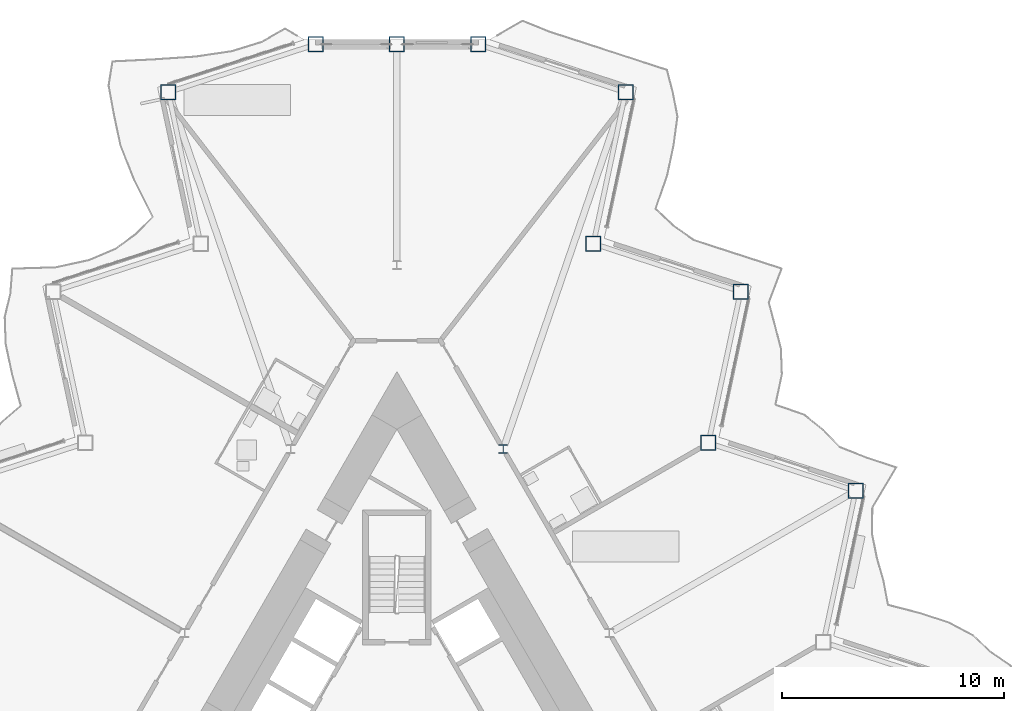
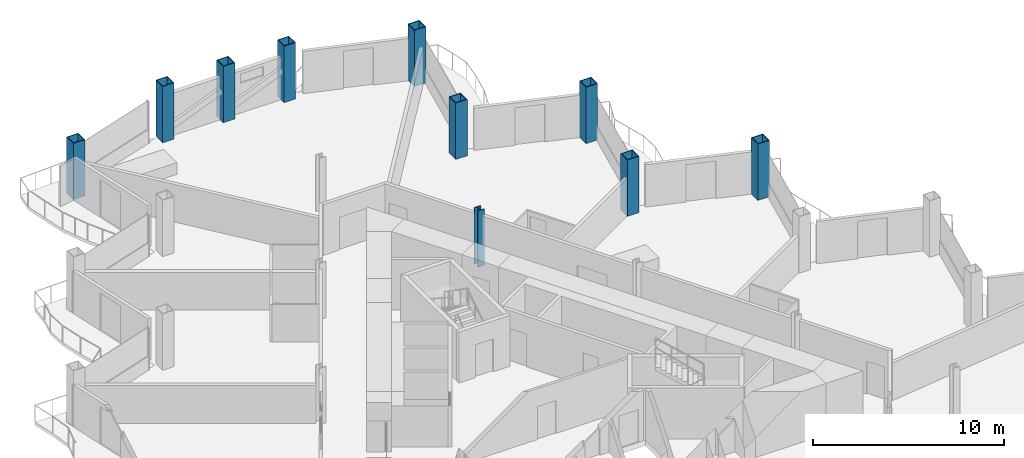
# One storey, part 3 of 23: 10 columns.
"""IFC4 building model written with IfcOpenShell, lengths in metres."""

from ifc_helpers import new_model, si_unit, direction, frame, origin, origin_2d, place, context, subcontext, project, spatial, hollow_rectangle, i_section, extrude, material, material_profile, profile_set, type_object, element, save


model = new_model("IFC4")

# Units and contexts
model_context = context("Model", 3, precision=1e-05, world=origin(), true_north=direction((0.0, 1.0)))
body_context = subcontext(model_context, "Body", "Model", "MODEL_VIEW")
ifc_project = project(units=[si_unit("LENGTHUNIT", "METRE"), si_unit("AREAUNIT", "SQUARE_METRE"), si_unit("VOLUMEUNIT", "CUBIC_METRE"), si_unit("PLANEANGLEUNIT", "RADIAN"), si_unit("MASSUNIT", "GRAM", prefix="KILO")], contexts=[model_context])

# Site, building, storey
site_placement = place(None, origin())
site = spatial("IfcSite", under=ifc_project, at=site_placement, CompositionType="ELEMENT")
building_placement = place(site_placement, origin())
building = spatial("IfcBuilding", under=site, at=building_placement, Name="Cormorant Prow Tower", CompositionType="ELEMENT")
storey_placement = place(building_placement, frame((0.0, 0.0, 249.0)))
storey = spatial("IfcBuildingStorey", under=building, at=storey_placement, Name="L55", CompositionType="ELEMENT", Elevation=249.0)

# Columns
ifc_material_1 = material(Name="Structural steel ASTM A572 Gr 50", Category="steel")
ifc_material_profile_1 = material_profile(ifc_material_1, hollow_rectangle(XDim=0.699951171875, YDim=0.699951171875, WallThickness=0.044921875, at=origin_2d()), Name="Box 700x700x45")
ifc_profile_set_1 = profile_set([ifc_material_profile_1], Name="Structural steel ASTM A572 Gr 50")
column_type_1 = type_object("IfcColumnType", Name="Perimeter box column 700x700x45", PredefinedType="COLUMN", material=ifc_profile_set_1)
for number, where, z_axis, x_axis, name in (
    (1, (20.686767578125, 11.943359375, 0.0), (0.0, 0.0, 1.0), (1.0, 0.0, 0.0), "Perimeter column C5 at ENE05 L55"),
    (2, (14.046875, 14.100830078125, 0.0), (0.0, 0.0, 1.0), (1.0, 0.0, 0.0), "Perimeter column C5 at ENE06 L55"),
    (3, (15.49853515625, 20.9296875, 0.0), (0.0, 0.0, 1.0), (1.0, 0.0, 0.0), "Perimeter column C5 at ENE07 L55"),
    (4, (8.858642578125, 23.087158203125, 0.0), (0.0, 0.0, 1.0), (1.0, 0.0, 0.0), "Perimeter column C5 at ENE08 L55"),
    (5, (10.310302734375, 29.916015625, 0.0), (0.0, 0.0, 1.0), (1.0, 0.0, 0.0), "Perimeter column C5 at ENE09 L55"),
    (6, (3.67041015625, 32.073486328125, 0.0), (0.0, 0.0, 1.0), (1.0, 0.0, 0.0), "Perimeter column C5 at N00 L55"),
    (7, (0.0, 32.073486328125, 0.0), (0.0, 0.0, 1.0), (1.0, 0.0, 0.0), "Perimeter column C5 at N01 L55"),
    (8, (-3.67041015625, 32.073486328125, 0.0), (0.0, 0.0, 1.0), (1.0, 0.0, 0.0), "Perimeter column C5 at WNW00 L55"),
    (9, (-10.310302734375, 29.916015625, 0.0), (0.0, 0.0, 1.0), (1.0, 0.0, 0.0), "Perimeter column C5 at WNW01 L55"),
):
    element("IfcColumn", number, at=place(storey_placement, frame(where, z_axis=z_axis, x_axis=x_axis)), inside=storey, type_object=column_type_1, Name=name, PredefinedType="COLUMN", context=body_context, shape_type="SweptSolid", body=[
        extrude(hollow_rectangle(XDim=0.699951171875, YDim=0.699951171875, WallThickness=0.044921875, at=origin_2d()), origin(), (0.0, 0.0, 1.0), 3.60009765625),
    ])
ifc_material_2 = material(Name="Structural steel ASTM A992 Gr 50", Category="steel")
ifc_material_profile_2 = material_profile(ifc_material_2, i_section(OverallWidth=0.39892578125, OverallDepth=0.393310546875, WebThickness=0.022705078125, FlangeThickness=0.03662109375, at=origin_2d()), Name="W14x193")
ifc_profile_set_2 = profile_set([ifc_material_profile_2], Name="Structural steel ASTM A992 Gr 50")
column_type_2 = type_object("IfcColumnType", Name="Ring column W14x193", PredefinedType="COLUMN", material=ifc_profile_set_2)
column_placement = place(storey_placement, frame((4.789306640625, 13.8251953125, 0.0), z_axis=(0.0, 0.0, 1.0), x_axis=(1.0, 0.0, 0.0)))
element("IfcColumn", 10, at=column_placement, inside=storey, type_object=column_type_2, Name="Ring column 12 L55", PredefinedType="COLUMN", context=body_context, shape_type="SweptSolid", body=[
    extrude(i_section(OverallWidth=0.39892578125, OverallDepth=0.393310546875, WebThickness=0.022705078125, FlangeThickness=0.03662109375, at=origin_2d()), origin(), (0.0, 0.0, 1.0), 3.60009765625),
])

save(model, "model.ifc")
